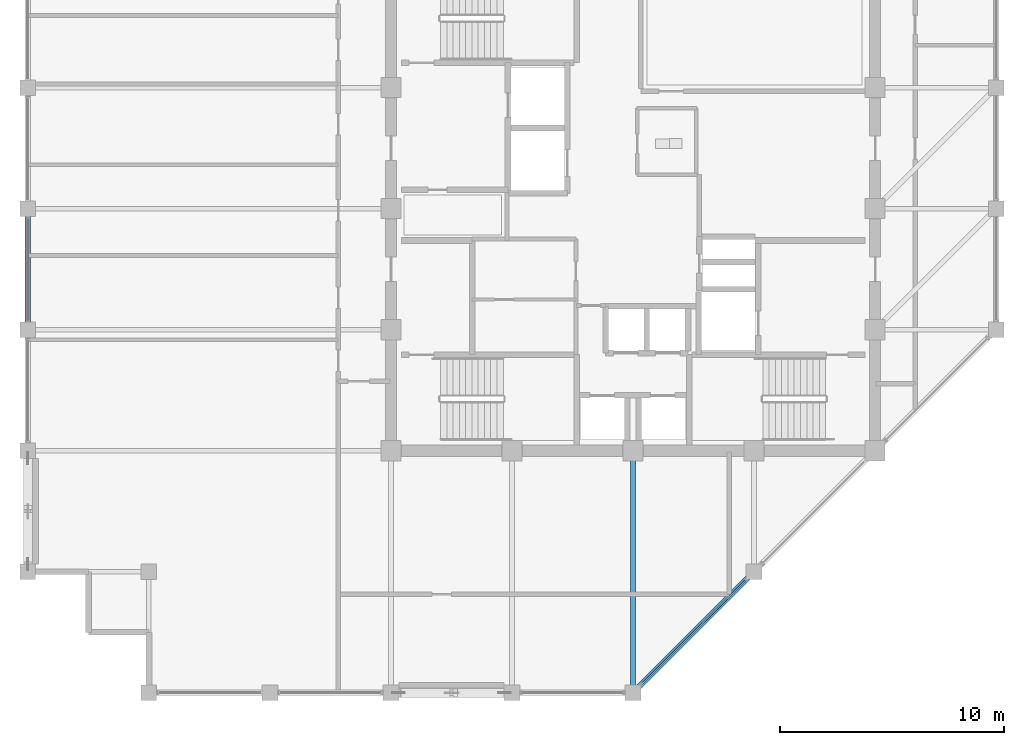
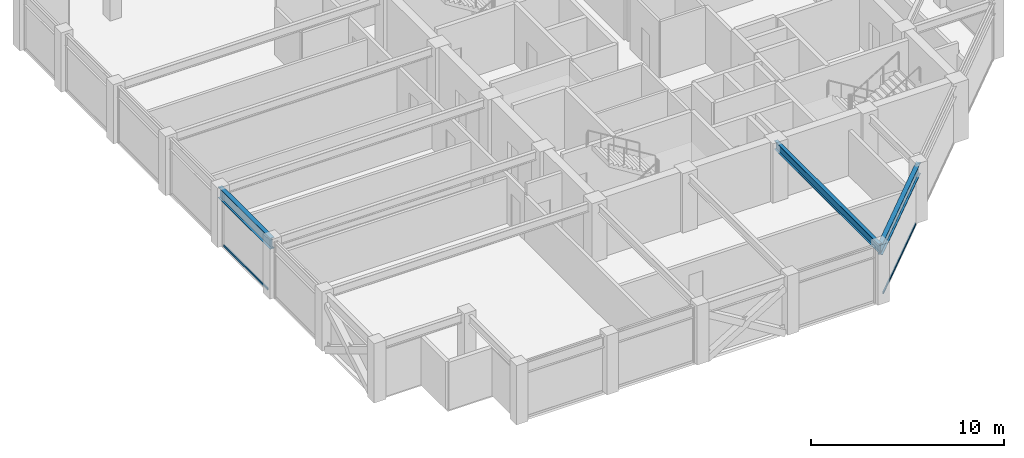
# One storey, part 7 of 30: 3 beams, 2 members, 2 elements without a shape of their own.
"""IFC4 building model written with IfcOpenShell, lengths in metres."""

import ifcopenshell
import ifcopenshell.guid

model = None  # the IFC model being written
_history = None  # IfcOwnerHistory: only IFC2X3 demands one
_inside = {}  # id of a spatial element -> (the spatial element, [elements in it])
_under = {}  # id of a project, library or spatial element -> (it, [spatial elements below it])
_declared = {}  # id of a project -> (the project, [libraries it declares])
_typed = {}  # id of a type object -> (the type object, [elements of that type])
_made_of = {}  # id of a material, layer set ... -> (it, [elements and type objects made of it])


def new_model(schema):
    """Start an empty IFC model of exactly this schema.

    Asked for "IFC4X3", IfcOpenShell would pick the latest addendum, in which some entities
    have other attributes; the version numbers below select the first issue.
    IFC2X3 requires an IfcOwnerHistory on every rooted entity: one is made here for all.
    """
    global model, _history
    if schema == "IFC4X3":
        model = ifcopenshell.file(schema_version=(4, 3, 0, 0))
    else:
        model = ifcopenshell.file(schema=schema)
    _inside.clear()
    _under.clear()
    _declared.clear()
    _typed.clear()
    _made_of.clear()
    _history = None
    if model.schema == "IFC2X3":
        org = make("IfcOrganization", Name="unknown")
        user = make(
            "IfcPersonAndOrganization",
            ThePerson=make("IfcPerson", FamilyName="unknown"),
            TheOrganization=org,
        )
        app = make(
            "IfcApplication",
            ApplicationDeveloper=org,
            Version="unknown",
            ApplicationFullName="unknown",
            ApplicationIdentifier="unknown",
        )
        _history = make(
            "IfcOwnerHistory",
            OwningUser=user,
            OwningApplication=app,
            ChangeAction="ADDED",
            CreationDate=0,
        )
    return model


def make(cls, **values):
    """One entity of the class cls with the attributes given. An attribute that is None is left unset."""
    return model.create_entity(
        cls, **{name: value for name, value in values.items() if value is not None}
    )


def rooted(cls, **values):
    """An entity with a GlobalId (a new one), such as an element, a storey or a relation."""
    return make(cls, GlobalId=ifcopenshell.guid.new(), OwnerHistory=_history, **values)


def si_unit(unit_type, name, prefix=None):
    """IfcSIUnit, for example si_unit("LENGTHUNIT", "METRE", prefix="MILLI")."""
    return make("IfcSIUnit", UnitType=unit_type, Prefix=prefix, Name=name)


def assignment(units):
    """IfcUnitAssignment: the units of a project."""
    return None if units is None else make("IfcUnitAssignment", Units=units)


def point(xyz):
    """IfcCartesianPoint."""
    return None if xyz is None else make("IfcCartesianPoint", Coordinates=xyz)


def direction(xyz):
    """IfcDirection."""
    return None if xyz is None else make("IfcDirection", DirectionRatios=xyz)


def frame(location, z_axis=None, x_axis=None):
    """IfcAxis2Placement3D, a coordinate frame: its origin and axes. An axis left out is left unset."""
    return make(
        "IfcAxis2Placement3D",
        Location=point(location),
        Axis=direction(z_axis),
        RefDirection=direction(x_axis),
    )


def frame_2d(location, x_axis=None):
    """IfcAxis2Placement2D, a coordinate frame in the plane: its origin and x axis."""
    return make(
        "IfcAxis2Placement2D", Location=point(location), RefDirection=direction(x_axis)
    )


def origin():
    """The frame at (0, 0, 0) with its axes left unset."""
    return frame((0.0, 0.0, 0.0))


def origin_2d():
    """The frame at (0, 0) in the plane with its x axis left unset."""
    return frame_2d((0.0, 0.0))


def place(relative_to, where):
    """IfcLocalPlacement: puts the frame where relative to a parent placement (None: the world)."""
    return make(
        "IfcLocalPlacement", PlacementRelTo=relative_to, RelativePlacement=where
    )


def context(
    kind, dimensions, precision=None, world=None, true_north=None, identifier=None
):
    """IfcGeometricRepresentationContext, for example the 3D "Model" context."""
    return make(
        "IfcGeometricRepresentationContext",
        ContextIdentifier=identifier,
        ContextType=kind,
        CoordinateSpaceDimension=dimensions,
        Precision=precision,
        WorldCoordinateSystem=world,
        TrueNorth=true_north,
    )


def subcontext(parent, identifier, kind, view, scale=None):
    """IfcGeometricRepresentationSubContext, for example "Body" below "Model"."""
    return make(
        "IfcGeometricRepresentationSubContext",
        ContextIdentifier=identifier,
        ContextType=kind,
        ParentContext=parent,
        TargetScale=scale,
        TargetView=view,
    )


def project(units=None, contexts=None):
    """IfcProject with its units and contexts."""
    return rooted(
        "IfcProject",
        Name="project",
        RepresentationContexts=contexts,
        UnitsInContext=assignment(units),
    )


def spatial(cls, under=None, at=None, **own):
    """A site, building, storey or space (cls), placed at a placement, below another one or the project."""
    s = rooted(cls, ObjectPlacement=at, **own)
    if under is not None:
        _under.setdefault(under.id(), (under, []))[1].append(s)
    return s


def profile(cls, at=None, kind="AREA", **sizes):
    """A parametric profile (cls). Its sizes go by their IFC names, for example OverallWidth=200.0."""
    return make(cls, ProfileType=kind, Position=at, **sizes)


def hollow_rectangle(**sizes):
    """IfcRectangleHollowProfileDef."""
    return profile("IfcRectangleHollowProfileDef", **sizes)


def i_section(**sizes):
    """IfcIShapeProfileDef."""
    return profile("IfcIShapeProfileDef", **sizes)


def extrude(swept, where, along, depth):
    """IfcExtrudedAreaSolid: the profile swept, set in the frame where, extruded along a direction by depth."""
    return make(
        "IfcExtrudedAreaSolid",
        SweptArea=swept,
        Position=where,
        ExtrudedDirection=direction(along),
        Depth=depth,
    )


def shape(context_of_items, identifier, shape_type, items):
    """IfcShapeRepresentation: the items that make up one representation, for example the "Body"."""
    return make(
        "IfcShapeRepresentation",
        ContextOfItems=context_of_items,
        RepresentationIdentifier=identifier,
        RepresentationType=shape_type,
        Items=items,
    )


def material(Name=None, Category=None):
    """IfcMaterial."""
    return make("IfcMaterial", Name=Name, Category=Category)


def layer(
    of_material, thickness, ventilated=None, Name=None, Category=None, Priority=None
):
    """IfcMaterialLayer: one layer of a wall or slab, of a material (None: an air gap)."""
    return make(
        "IfcMaterialLayer",
        Material=of_material,
        LayerThickness=thickness,
        IsVentilated=ventilated,
        Name=Name,
        Category=Category,
        Priority=Priority,
    )


def layer_set(layers, Name=None):
    """IfcMaterialLayerSet."""
    return make("IfcMaterialLayerSet", MaterialLayers=layers, LayerSetName=Name)


def material_profile(
    of_material, cross_section, Name=None, Category=None, Priority=None
):
    """IfcMaterialProfile: a cross section and its material."""
    return make(
        "IfcMaterialProfile",
        Name=Name,
        Material=of_material,
        Profile=cross_section,
        Priority=Priority,
        Category=Category,
    )


def profile_set(profiles, Name=None, composite=None):
    """IfcMaterialProfileSet."""
    return make(
        "IfcMaterialProfileSet",
        Name=Name,
        MaterialProfiles=profiles,
        CompositeProfile=composite,
    )


def made_of(thing, what):
    """Note that an element or type object is made of a material, layer set ...; save() writes the relation."""
    if what is not None:
        _made_of.setdefault(what.id(), (what, []))[1].append(thing)
    return thing


def type_object(cls, material=None, **own):
    """A type object (cls), such as IfcWallType, which elements share."""
    return made_of(rooted(cls, **own), material)


def element(
    cls,
    number,
    at=None,
    inside=None,
    cuts=None,
    type_object=None,
    material=None,
    context=None,
    identifier="Body",
    shape_type=None,
    held_by="IfcProductDefinitionShape",
    body=None,
    shapes=None,
    **own,
):
    """One element of the class cls, such as IfcWall. Its Tag is "e" and its number.

    at: its placement. inside: the storey or other place that contains it. cuts: it is an
    opening in that element (IfcRelVoidsElement). A single representation is given by context,
    identifier, shape_type and body (its items); several are given by shapes. held_by: the class
    of the entity that holds the representations. save() writes the other relations.
    """
    e = rooted(cls, Tag="e%d" % number, ObjectPlacement=at, **own)
    if body is not None:
        shapes = [shape(context, identifier, shape_type, body)]
    if shapes is not None:
        e.Representation = make(held_by, Representations=shapes)
    if inside is not None:
        _inside.setdefault(inside.id(), (inside, []))[1].append(e)
    if cuts is not None:
        rooted(
            "IfcRelVoidsElement", RelatingBuildingElement=cuts, RelatedOpeningElement=e
        )
    if type_object is not None:
        _typed.setdefault(type_object.id(), (type_object, []))[1].append(e)
    return made_of(e, material)


def aggregate(whole, parts):
    """IfcRelAggregates: a whole, such as a stair, and the parts it consists of."""
    return rooted("IfcRelAggregates", RelatingObject=whole, RelatedObjects=parts)


def save(model, path):
    """Write the relations noted so far, then the file.

    IfcRelAggregates (storeys below a building ...), IfcRelContainedInSpatialStructure (elements
    in a storey), IfcRelDefinesByType, IfcRelAssociatesMaterial and IfcRelDeclares: one each for
    every whole, place, type object, material and project.
    """
    for whole, parts in _under.values():
        aggregate(whole, parts)
    for where, things in _inside.values():
        rooted(
            "IfcRelContainedInSpatialStructure",
            RelatedElements=things,
            RelatingStructure=where,
        )
    for kind, things in _typed.values():
        rooted("IfcRelDefinesByType", RelatedObjects=things, RelatingType=kind)
    for what, things in _made_of.values():
        rooted("IfcRelAssociatesMaterial", RelatedObjects=things, RelatingMaterial=what)
    for by, libraries in _declared.values():
        rooted("IfcRelDeclares", RelatingContext=by, RelatedDefinitions=libraries)
    model.write(path)


model = new_model("IFC4")

# Units and contexts
model_context = context("Model", 3, precision=1e-05, world=origin(), true_north=direction((0.0, 1.0)))
body_context = subcontext(model_context, "Body", "Model", "MODEL_VIEW")
ifc_project = project(units=[si_unit("LENGTHUNIT", "METRE"), si_unit("AREAUNIT", "SQUARE_METRE"), si_unit("VOLUMEUNIT", "CUBIC_METRE"), si_unit("PLANEANGLEUNIT", "RADIAN"), si_unit("MASSUNIT", "GRAM", prefix="KILO")], contexts=[model_context])

# Site, building, storey
site_placement = place(None, origin())
site = spatial("IfcSite", under=ifc_project, at=site_placement, CompositionType="ELEMENT")
building_placement = place(site_placement, origin())
building = spatial("IfcBuilding", under=site, at=building_placement, Name="Surkhivell Harbour Commons", CompositionType="ELEMENT")
storey_placement = place(building_placement, frame((0.0, 0.0, 300.0)))
storey = spatial("IfcBuildingStorey", under=building, at=storey_placement, Name="L78", CompositionType="ELEMENT", Elevation=300.0)

# Beams
ifc_material_1 = material(Name="Steel S355", Category="steel")
ifc_material_profile_1 = material_profile(ifc_material_1, i_section(OverallWidth=0.2099609375, OverallDepth=0.537109375, WebThickness=0.0107421875, FlangeThickness=0.017333984375, at=origin_2d()), Name="UB533x210x101")
ifc_profile_set_1 = profile_set([ifc_material_profile_1], Name="Steel S355")
beam_type_1 = type_object("IfcBeamType", Name="BM-GRD-533B", PredefinedType="BEAM", material=ifc_profile_set_1)
beam_1_placement = place(storey_placement, frame((0.0, -21.60009765625, 3.301513671875), z_axis=(0.0, 1.0, 0.0), x_axis=(-1.0, 0.0, 0.0)))
element("IfcBeam", 1, at=beam_1_placement, inside=storey, type_object=beam_type_1, Name="L78 Floor Girder (0.0,-21.6)", PredefinedType="BEAM", context=body_context, shape_type="SweptSolid", body=[
    extrude(i_section(OverallWidth=0.2099609375, OverallDepth=0.537109375, WebThickness=0.0107421875, FlangeThickness=0.017333984375, at=origin_2d()), origin(), (0.0, 0.0, 1.0), 10.800048828125),
])
ifc_material_profile_2 = material_profile(ifc_material_1, i_section(OverallWidth=0.256103515625, OverallDepth=0.693115234375, WebThickness=0.014404296875, FlangeThickness=0.023681640625, at=origin_2d()), Name="UB686x254x170")
ifc_profile_set_2 = profile_set([ifc_material_profile_2], Name="Steel S355")
beam_type_2 = type_object("IfcBeamType", Name="BM-SPN-686", PredefinedType="SPANDREL", material=ifc_profile_set_2)
beam_2_placement = place(storey_placement, frame((-27.0, -5.39990234375, 3.223388671875), z_axis=(0.0, 1.0, 0.0), x_axis=(-1.0, 0.0, 0.0)))
element("IfcBeam", 2, at=beam_2_placement, inside=storey, type_object=beam_type_2, Name="L78 Tube Spandrel (-27.0,-5.4)", PredefinedType="SPANDREL", context=body_context, shape_type="SweptSolid", body=[
    extrude(i_section(OverallWidth=0.256103515625, OverallDepth=0.693115234375, WebThickness=0.014404296875, FlangeThickness=0.023681640625, at=origin_2d()), origin(), (0.0, 0.0, 1.0), 5.39990234375),
])
beam_3_placement = place(storey_placement, frame((0.0, -21.60009765625, 3.223388671875), z_axis=(0.707090796496, 0.707122765516, 0.0), x_axis=(-0.707122765516, 0.707090796496, 0.0)))
element("IfcBeam", 3, at=beam_3_placement, inside=storey, type_object=beam_type_2, Name="L78 Tube Spandrel (-0.0,-21.6)", PredefinedType="SPANDREL", context=body_context, shape_type="SweptSolid", body=[
    extrude(i_section(OverallWidth=0.256103515625, OverallDepth=0.693115234375, WebThickness=0.014404296875, FlangeThickness=0.023681640625, at=origin_2d()), origin(), (0.0, 0.0, 1.0), 7.63671875),
])

# Curtain wall, member
ifc_material_2 = material(Name="Anodised pale-metal aluminium and insulated glazing", Category="aluminium")
ifc_layer = layer(ifc_material_2, 0.175048828125)
ifc_layer_set = layer_set([ifc_layer], Name="Anodised pale-metal aluminium and insulated glazing")
curtain_wall_type = type_object("IfcCurtainWallType", Name="CW-SYS-Z4", PredefinedType="NOTDEFINED", material=ifc_layer_set)
curtain_wall_1_placement = place(storey_placement, origin())
curtain_wall_1 = element("IfcCurtainWall", 4, at=curtain_wall_1_placement, inside=storey, type_object=curtain_wall_type, Name="L78 Curtain Wall CW-L78-E01", PredefinedType="NOTDEFINED")
ifc_material_3 = material(Name="Champagne anodised aluminium alloy 6063-T6", Category="aluminium")
ifc_material_profile_3 = material_profile(ifc_material_3, hollow_rectangle(XDim=0.070068359375, YDim=0.1298828125, WallThickness=0.00341796875, at=origin_2d()), Name="ALU-TRAN-70x130")
ifc_profile_set_3 = profile_set([ifc_material_profile_3], Name="Champagne anodised aluminium alloy 6063-T6")
member_type = type_object("IfcMemberType", Name="CWT-130", PredefinedType="USERDEFINED", material=ifc_profile_set_3)
member_1_placement = place(storey_placement, frame((0.404541015625, -21.1953125, 0.06494140625), z_axis=(0.707125583467, 0.707087978406, 0.0), x_axis=(-0.707087978406, 0.707125583467, 0.0)))
member_1 = element("IfcMember", 5, at=member_1_placement, type_object=member_type, Name="CW-Z4 transom 1.1", ObjectType="TRANSOM", PredefinedType="USERDEFINED", context=body_context, shape_type="SweptSolid", body=[
    extrude(hollow_rectangle(XDim=0.070068359375, YDim=0.1298828125, WallThickness=0.00341796875, at=origin_2d()), origin(), (0.0, 0.0, 1.0), 6.4921875),
])
aggregate(curtain_wall_1, [member_1])

curtain_wall_2_placement = place(storey_placement, origin())
curtain_wall_2 = element("IfcCurtainWall", 6, at=curtain_wall_2_placement, inside=storey, type_object=curtain_wall_type, Name="L78 Curtain Wall CW-L78-E12S1", PredefinedType="NOTDEFINED")
member_2_placement = place(storey_placement, frame((-27.0, -0.427001953125, 0.06494140625), z_axis=(0.0, -1.0, 0.0), x_axis=(1.0, 0.0, 0.0)))
member_2 = element("IfcMember", 7, at=member_2_placement, type_object=member_type, Name="CW-Z4 transom 5.1", ObjectType="TRANSOM", PredefinedType="USERDEFINED", context=body_context, shape_type="SweptSolid", body=[
    extrude(hollow_rectangle(XDim=0.070068359375, YDim=0.1298828125, WallThickness=0.00341796875, at=origin_2d()), origin(), (0.0, 0.0, 1.0), 4.5458984375),
])
aggregate(curtain_wall_2, [member_2])

save(model, "model.ifc")
